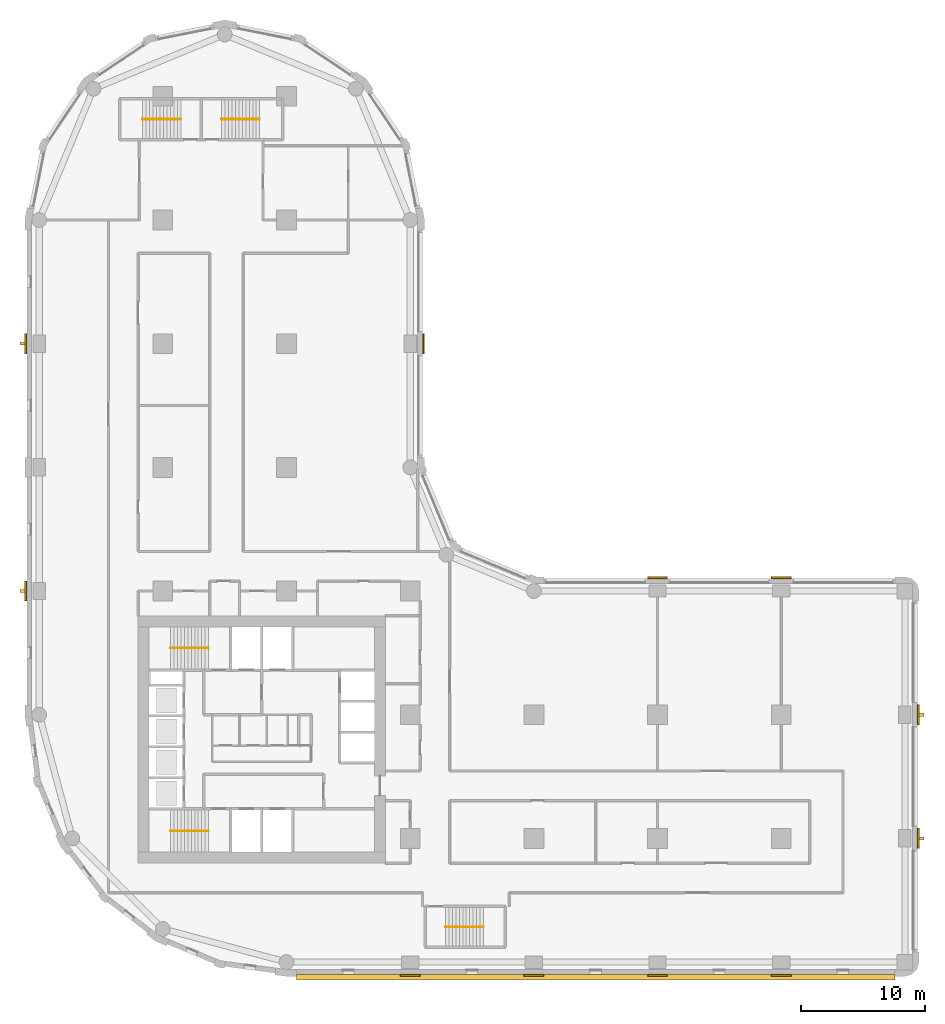
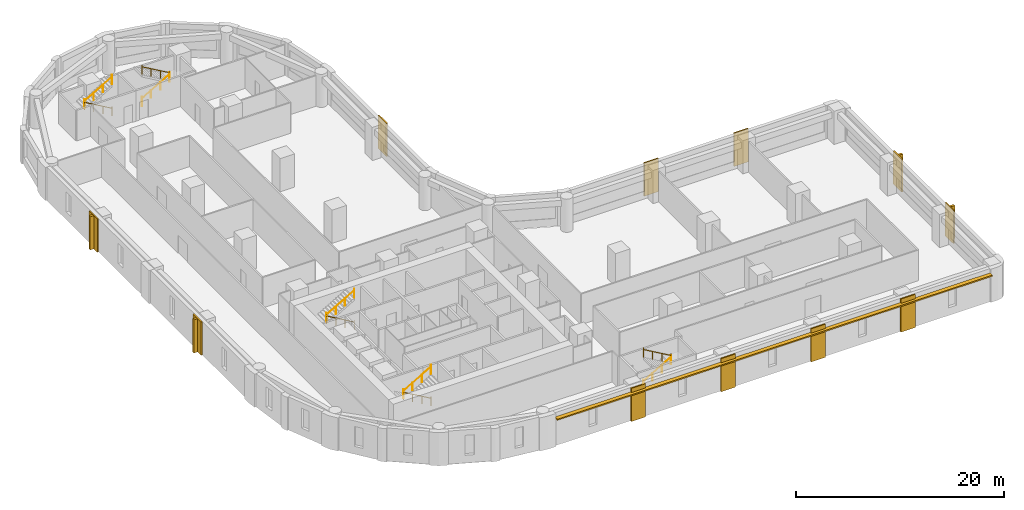
# One storey, part 9 of 10: 11 coverings, 10 railings, 5 shading devices.
"""IFC4 building model written with IfcOpenShell, lengths in metres."""

import ifcopenshell
import ifcopenshell.guid

model = None  # the IFC model being written
_history = None  # IfcOwnerHistory: only IFC2X3 demands one
_inside = {}  # id of a spatial element -> (the spatial element, [elements in it])
_under = {}  # id of a project, library or spatial element -> (it, [spatial elements below it])
_declared = {}  # id of a project -> (the project, [libraries it declares])
_typed = {}  # id of a type object -> (the type object, [elements of that type])
_made_of = {}  # id of a material, layer set ... -> (it, [elements and type objects made of it])


def new_model(schema):
    """Start an empty IFC model of exactly this schema.

    Asked for "IFC4X3", IfcOpenShell would pick the latest addendum, in which some entities
    have other attributes; the version numbers below select the first issue.
    IFC2X3 requires an IfcOwnerHistory on every rooted entity: one is made here for all.
    """
    global model, _history
    if schema == "IFC4X3":
        model = ifcopenshell.file(schema_version=(4, 3, 0, 0))
    else:
        model = ifcopenshell.file(schema=schema)
    _inside.clear()
    _under.clear()
    _declared.clear()
    _typed.clear()
    _made_of.clear()
    _history = None
    if model.schema == "IFC2X3":
        org = make("IfcOrganization", Name="unknown")
        user = make(
            "IfcPersonAndOrganization",
            ThePerson=make("IfcPerson", FamilyName="unknown"),
            TheOrganization=org,
        )
        app = make(
            "IfcApplication",
            ApplicationDeveloper=org,
            Version="unknown",
            ApplicationFullName="unknown",
            ApplicationIdentifier="unknown",
        )
        _history = make(
            "IfcOwnerHistory",
            OwningUser=user,
            OwningApplication=app,
            ChangeAction="ADDED",
            CreationDate=0,
        )
    return model


def make(cls, **values):
    """One entity of the class cls with the attributes given. An attribute that is None is left unset."""
    return model.create_entity(
        cls, **{name: value for name, value in values.items() if value is not None}
    )


def rooted(cls, **values):
    """An entity with a GlobalId (a new one), such as an element, a storey or a relation."""
    return make(cls, GlobalId=ifcopenshell.guid.new(), OwnerHistory=_history, **values)


def si_unit(unit_type, name, prefix=None):
    """IfcSIUnit, for example si_unit("LENGTHUNIT", "METRE", prefix="MILLI")."""
    return make("IfcSIUnit", UnitType=unit_type, Prefix=prefix, Name=name)


def assignment(units):
    """IfcUnitAssignment: the units of a project."""
    return None if units is None else make("IfcUnitAssignment", Units=units)


def point(xyz):
    """IfcCartesianPoint."""
    return None if xyz is None else make("IfcCartesianPoint", Coordinates=xyz)


def direction(xyz):
    """IfcDirection."""
    return None if xyz is None else make("IfcDirection", DirectionRatios=xyz)


def frame(location, z_axis=None, x_axis=None):
    """IfcAxis2Placement3D, a coordinate frame: its origin and axes. An axis left out is left unset."""
    return make(
        "IfcAxis2Placement3D",
        Location=point(location),
        Axis=direction(z_axis),
        RefDirection=direction(x_axis),
    )


def frame_2d(location, x_axis=None):
    """IfcAxis2Placement2D, a coordinate frame in the plane: its origin and x axis."""
    return make(
        "IfcAxis2Placement2D", Location=point(location), RefDirection=direction(x_axis)
    )


def origin():
    """The frame at (0, 0, 0) with its axes left unset."""
    return frame((0.0, 0.0, 0.0))


def origin_2d():
    """The frame at (0, 0) in the plane with its x axis left unset."""
    return frame_2d((0.0, 0.0))


def place(relative_to, where):
    """IfcLocalPlacement: puts the frame where relative to a parent placement (None: the world)."""
    return make(
        "IfcLocalPlacement", PlacementRelTo=relative_to, RelativePlacement=where
    )


def context(
    kind, dimensions, precision=None, world=None, true_north=None, identifier=None
):
    """IfcGeometricRepresentationContext, for example the 3D "Model" context."""
    return make(
        "IfcGeometricRepresentationContext",
        ContextIdentifier=identifier,
        ContextType=kind,
        CoordinateSpaceDimension=dimensions,
        Precision=precision,
        WorldCoordinateSystem=world,
        TrueNorth=true_north,
    )


def subcontext(parent, identifier, kind, view, scale=None):
    """IfcGeometricRepresentationSubContext, for example "Body" below "Model"."""
    return make(
        "IfcGeometricRepresentationSubContext",
        ContextIdentifier=identifier,
        ContextType=kind,
        ParentContext=parent,
        TargetScale=scale,
        TargetView=view,
    )


def project(units=None, contexts=None):
    """IfcProject with its units and contexts."""
    return rooted(
        "IfcProject",
        Name="project",
        RepresentationContexts=contexts,
        UnitsInContext=assignment(units),
    )


def spatial(cls, under=None, at=None, **own):
    """A site, building, storey or space (cls), placed at a placement, below another one or the project."""
    s = rooted(cls, ObjectPlacement=at, **own)
    if under is not None:
        _under.setdefault(under.id(), (under, []))[1].append(s)
    return s


def polyline(points):
    """IfcPolyline through the points."""
    return make("IfcPolyline", Points=[point(p) for p in points])


def profile(cls, at=None, kind="AREA", **sizes):
    """A parametric profile (cls). Its sizes go by their IFC names, for example OverallWidth=200.0."""
    return make(cls, ProfileType=kind, Position=at, **sizes)


def rectangle(**sizes):
    """IfcRectangleProfileDef."""
    return profile("IfcRectangleProfileDef", **sizes)


def circle(**sizes):
    """IfcCircleProfileDef."""
    return profile("IfcCircleProfileDef", **sizes)


def outline(outer, holes=None, kind="AREA"):
    """IfcArbitraryClosedProfileDef: a profile drawn as a closed curve; with holes, ...WithVoids."""
    if holes is None:
        return make("IfcArbitraryClosedProfileDef", ProfileType=kind, OuterCurve=outer)
    return make(
        "IfcArbitraryProfileDefWithVoids",
        ProfileType=kind,
        OuterCurve=outer,
        InnerCurves=holes,
    )


def extrude(swept, where, along, depth):
    """IfcExtrudedAreaSolid: the profile swept, set in the frame where, extruded along a direction by depth."""
    return make(
        "IfcExtrudedAreaSolid",
        SweptArea=swept,
        Position=where,
        ExtrudedDirection=direction(along),
        Depth=depth,
    )


def shape(context_of_items, identifier, shape_type, items):
    """IfcShapeRepresentation: the items that make up one representation, for example the "Body"."""
    return make(
        "IfcShapeRepresentation",
        ContextOfItems=context_of_items,
        RepresentationIdentifier=identifier,
        RepresentationType=shape_type,
        Items=items,
    )


def material(Name=None, Category=None):
    """IfcMaterial."""
    return make("IfcMaterial", Name=Name, Category=Category)


def layer(
    of_material, thickness, ventilated=None, Name=None, Category=None, Priority=None
):
    """IfcMaterialLayer: one layer of a wall or slab, of a material (None: an air gap)."""
    return make(
        "IfcMaterialLayer",
        Material=of_material,
        LayerThickness=thickness,
        IsVentilated=ventilated,
        Name=Name,
        Category=Category,
        Priority=Priority,
    )


def layer_set(layers, Name=None):
    """IfcMaterialLayerSet."""
    return make("IfcMaterialLayerSet", MaterialLayers=layers, LayerSetName=Name)


def made_of(thing, what):
    """Note that an element or type object is made of a material, layer set ...; save() writes the relation."""
    if what is not None:
        _made_of.setdefault(what.id(), (what, []))[1].append(thing)
    return thing


def type_object(cls, material=None, **own):
    """A type object (cls), such as IfcWallType, which elements share."""
    return made_of(rooted(cls, **own), material)


def element(
    cls,
    number,
    at=None,
    inside=None,
    cuts=None,
    type_object=None,
    material=None,
    context=None,
    identifier="Body",
    shape_type=None,
    held_by="IfcProductDefinitionShape",
    body=None,
    shapes=None,
    **own,
):
    """One element of the class cls, such as IfcWall. Its Tag is "e" and its number.

    at: its placement. inside: the storey or other place that contains it. cuts: it is an
    opening in that element (IfcRelVoidsElement). A single representation is given by context,
    identifier, shape_type and body (its items); several are given by shapes. held_by: the class
    of the entity that holds the representations. save() writes the other relations.
    """
    e = rooted(cls, Tag="e%d" % number, ObjectPlacement=at, **own)
    if body is not None:
        shapes = [shape(context, identifier, shape_type, body)]
    if shapes is not None:
        e.Representation = make(held_by, Representations=shapes)
    if inside is not None:
        _inside.setdefault(inside.id(), (inside, []))[1].append(e)
    if cuts is not None:
        rooted(
            "IfcRelVoidsElement", RelatingBuildingElement=cuts, RelatedOpeningElement=e
        )
    if type_object is not None:
        _typed.setdefault(type_object.id(), (type_object, []))[1].append(e)
    return made_of(e, material)


def aggregate(whole, parts):
    """IfcRelAggregates: a whole, such as a stair, and the parts it consists of."""
    return rooted("IfcRelAggregates", RelatingObject=whole, RelatedObjects=parts)


def save(model, path):
    """Write the relations noted so far, then the file.

    IfcRelAggregates (storeys below a building ...), IfcRelContainedInSpatialStructure (elements
    in a storey), IfcRelDefinesByType, IfcRelAssociatesMaterial and IfcRelDeclares: one each for
    every whole, place, type object, material and project.
    """
    for whole, parts in _under.values():
        aggregate(whole, parts)
    for where, things in _inside.values():
        rooted(
            "IfcRelContainedInSpatialStructure",
            RelatedElements=things,
            RelatingStructure=where,
        )
    for kind, things in _typed.values():
        rooted("IfcRelDefinesByType", RelatedObjects=things, RelatingType=kind)
    for what, things in _made_of.values():
        rooted("IfcRelAssociatesMaterial", RelatedObjects=things, RelatingMaterial=what)
    for by, libraries in _declared.values():
        rooted("IfcRelDeclares", RelatingContext=by, RelatedDefinitions=libraries)
    model.write(path)


model = new_model("IFC4")

# Units and contexts
model_context = context("Model", 3, precision=1e-05, world=origin(), true_north=direction((0.0, 1.0)))
body_context = subcontext(model_context, "Body", "Model", "MODEL_VIEW")
ifc_project = project(units=[si_unit("LENGTHUNIT", "METRE"), si_unit("AREAUNIT", "SQUARE_METRE"), si_unit("VOLUMEUNIT", "CUBIC_METRE"), si_unit("PLANEANGLEUNIT", "RADIAN"), si_unit("MASSUNIT", "GRAM", prefix="KILO")], contexts=[model_context])

# Site, building, storey
site_placement = place(None, origin())
site = spatial("IfcSite", under=ifc_project, at=site_placement, CompositionType="ELEMENT")
building_placement = place(site_placement, origin())
building = spatial("IfcBuilding", under=site, at=building_placement, Name="Qaws Garden Tower", CompositionType="ELEMENT")
storey_placement = place(building_placement, frame((0.0, 0.0, 39.300048828125)))
storey = spatial("IfcBuildingStorey", under=building, at=storey_placement, Name="L09", CompositionType="ELEMENT", Elevation=39.300048828125)

# Coverings
ifc_material_1 = material(Name="Clay facing brick masonry", Category="masonry")
ifc_layer_1 = layer(ifc_material_1, 0.14990234375)
ifc_layer_set_1 = layer_set([ifc_layer_1], Name="Clay facing brick masonry")
covering_type = type_object("IfcCoveringType", Name="Brick pilaster facing 150 x 1600", PredefinedType="CLADDING", material=ifc_layer_set_1)
placement = place(storey_placement, origin())
element("IfcCovering", 1, at=placement, inside=storey, type_object=covering_type, Name="E-L09-pier-01", PredefinedType="CLADDING", context=body_context, shape_type="SweptSolid", body=[
    extrude(outline(polyline([(29.199951171875, -1.0), (30.800048828125, -1.0), (30.800048828125, -1.14990234375), (29.199951171875, -1.14990234375), (29.199951171875, -1.0)])), origin(), (0.0, 0.0, 1.0), 3.89990234375),
])
element("IfcCovering", 2, at=placement, inside=storey, type_object=covering_type, Name="E-L09-pier-02", PredefinedType="CLADDING", context=body_context, shape_type="SweptSolid", body=[
    extrude(outline(polyline([(39.199951171875, -1.0), (40.800048828125, -1.0), (40.800048828125, -1.14990234375), (39.199951171875, -1.14990234375), (39.199951171875, -1.0)])), origin(), (0.0, 0.0, 1.0), 3.89990234375),
])
element("IfcCovering", 3, at=placement, inside=storey, type_object=covering_type, Name="E-L09-pier-03", PredefinedType="CLADDING", context=body_context, shape_type="SweptSolid", body=[
    extrude(outline(polyline([(49.199951171875, -1.0), (50.800048828125, -1.0), (50.800048828125, -1.14990234375), (49.199951171875, -1.14990234375), (49.199951171875, -1.0)])), origin(), (0.0, 0.0, 1.0), 3.89990234375),
])
element("IfcCovering", 4, at=placement, inside=storey, type_object=covering_type, Name="E-L09-pier-04", PredefinedType="CLADDING", context=body_context, shape_type="SweptSolid", body=[
    extrude(outline(polyline([(59.199951171875, -1.0), (60.800048828125, -1.0), (60.800048828125, -1.14990234375), (59.199951171875, -1.14990234375), (59.199951171875, -1.0)])), origin(), (0.0, 0.0, 1.0), 3.89990234375),
])
element("IfcCovering", 5, at=placement, inside=storey, type_object=covering_type, Name="E-L09-pier-06", PredefinedType="CLADDING", context=body_context, shape_type="SweptSolid", body=[
    extrude(outline(polyline([(71.0, 9.199951171875), (71.0, 10.800048828125), (71.14990234375, 10.800048828125), (71.14990234375, 9.199951171875), (71.0, 9.199951171875)])), origin(), (0.0, 0.0, 1.0), 3.89990234375),
])
element("IfcCovering", 6, at=placement, inside=storey, type_object=covering_type, Name="E-L09-pier-07", PredefinedType="CLADDING", context=body_context, shape_type="SweptSolid", body=[
    extrude(outline(polyline([(71.0, 19.199951171875), (71.0, 20.800048828125), (71.14990234375, 20.800048828125), (71.14990234375, 19.199951171875), (71.0, 19.199951171875)])), origin(), (0.0, 0.0, 1.0), 3.89990234375),
])
element("IfcCovering", 7, at=placement, inside=storey, type_object=covering_type, Name="E-L09-pier-09", PredefinedType="CLADDING", context=body_context, shape_type="SweptSolid", body=[
    extrude(outline(polyline([(60.800048828125, 31.0), (59.199951171875, 31.0), (59.199951171875, 31.14990234375), (60.800048828125, 31.14990234375), (60.800048828125, 31.0)])), origin(), (0.0, 0.0, 1.0), 3.89990234375),
])
element("IfcCovering", 8, at=placement, inside=storey, type_object=covering_type, Name="E-L09-pier-10", PredefinedType="CLADDING", context=body_context, shape_type="SweptSolid", body=[
    extrude(outline(polyline([(50.800048828125, 31.0), (49.199951171875, 31.0), (49.199951171875, 31.14990234375), (50.800048828125, 31.14990234375), (50.800048828125, 31.0)])), origin(), (0.0, 0.0, 1.0), 3.89990234375),
])
element("IfcCovering", 9, at=placement, inside=storey, type_object=covering_type, Name="E-L09-pier-14", PredefinedType="CLADDING", context=body_context, shape_type="SweptSolid", body=[
    extrude(outline(polyline([(31.0, 49.199951171875), (31.0, 50.800048828125), (31.14990234375, 50.800048828125), (31.14990234375, 49.199951171875), (31.0, 49.199951171875)])), origin(), (0.0, 0.0, 1.0), 3.89990234375),
])
element("IfcCovering", 10, at=placement, inside=storey, type_object=covering_type, Name="E-L09-pier-24", PredefinedType="CLADDING", context=body_context, shape_type="SweptSolid", body=[
    extrude(outline(polyline([(-1.0, 50.800048828125), (-1.0, 49.199951171875), (-1.14990234375, 49.199951171875), (-1.14990234375, 50.800048828125), (-1.0, 50.800048828125)])), origin(), (0.0, 0.0, 1.0), 3.89990234375),
])
element("IfcCovering", 11, at=placement, inside=storey, type_object=covering_type, Name="E-L09-pier-26", PredefinedType="CLADDING", context=body_context, shape_type="SweptSolid", body=[
    extrude(outline(polyline([(-1.0, 30.800048828125), (-1.0, 29.199951171875), (-1.14990234375, 29.199951171875), (-1.14990234375, 30.800048828125), (-1.0, 30.800048828125)])), origin(), (0.0, 0.0, 1.0), 3.89990234375),
])

# Shading devices
ifc_material_2 = material(Name="Clay facing brick masonry", Category="masonry")
ifc_layer_2 = layer(ifc_material_2, 0.14990234375)
ifc_layer_set_2 = layer_set([ifc_layer_2], Name="Clay facing brick masonry")
shading_device_type_1 = type_object("IfcShadingDeviceType", Name="Brick sunshade band 450 x 150", PredefinedType="JALOUSIE", material=ifc_layer_set_2)
shading_device_placement = place(storey_placement, frame((0.0, 0.0, 3.25)))
element("IfcShadingDevice", 12, at=shading_device_placement, inside=storey, type_object=shading_device_type_1, Name="SUNSHADE 00", PredefinedType="JALOUSIE", context=body_context, shape_type="SweptSolid", body=[
    extrude(outline(polyline([(20.800048828125, -1.0), (20.800048828125, -1.449951171875), (69.199951171875, -1.449951171875), (69.199951171875, -1.0), (60.800048828125, -1.0), (60.800048828125, -1.14990234375), (59.199951171875, -1.14990234375), (59.199951171875, -1.0), (50.800048828125, -1.0), (50.800048828125, -1.14990234375), (49.199951171875, -1.14990234375), (49.199951171875, -1.0), (40.800048828125, -1.0), (40.800048828125, -1.14990234375), (39.199951171875, -1.14990234375), (39.199951171875, -1.0), (30.800048828125, -1.0), (30.800048828125, -1.14990234375), (29.199951171875, -1.14990234375), (29.199951171875, -1.0), (20.800048828125, -1.0)])), origin(), (0.0, 0.0, 1.0), 0.14990234375),
])
ifc_material_3 = material(Name="Clay facing brick masonry", Category="masonry")
ifc_layer_3 = layer(ifc_material_3, 0.25)
ifc_layer_set_3 = layer_set([ifc_layer_3], Name="Clay facing brick masonry")
shading_device_type_2 = type_object("IfcShadingDeviceType", Name="Brick-faced fin 250 x 400", PredefinedType="USERDEFINED", material=ifc_layer_set_3)
for number, where, z_axis, x_axis, name in (
    (13, (71.35009765625, 10.0, 0.0), (0.0, 0.0, 1.0), (0.0, 1.0, 0.0), "FIN 06"),
    (14, (71.35009765625, 20.0, 0.0), (0.0, 0.0, 1.0), (0.0, 1.0, 0.0), "FIN 07"),
    (15, (-1.35009765625, 50.0, 0.0), (0.0, 0.0, 1.0), (0.0, -1.0, 0.0), "FIN 24"),
    (16, (-1.35009765625, 30.0, 0.0), (0.0, 0.0, 1.0), (0.0, -1.0, 0.0), "FIN 26"),
):
    element("IfcShadingDevice", number, at=place(storey_placement, frame(where, z_axis=z_axis, x_axis=x_axis)), inside=storey, type_object=shading_device_type_2, Name=name, ObjectType="FIN", PredefinedType="USERDEFINED", context=body_context, shape_type="SweptSolid", body=[
        extrude(rectangle(XDim=0.25, YDim=0.39990234375, at=origin_2d()), origin(), (0.0, 0.0, 1.0), 3.89990234375),
    ])

# Railings
ifc_material_4 = material(Name="Steel S355", Category="steel")
railing_type = type_object("IfcRailingType", Name="Stair handrail 900", PredefinedType="HANDRAIL", material=ifc_material_4)
railing_1_placement = place(storey_placement, frame((13.699951171875, 10.60009765625, 0.162353515625)))
element("IfcRailing", 17, at=railing_1_placement, inside=storey, type_object=railing_type, Name="Stair 1 handrail", PredefinedType="HANDRAIL", context=body_context, shape_type="SweptSolid", body=[
    extrude(circle(Radius=0.02392578125, at=origin_2d()), frame((0.0, 0.0, 0.8759765625), z_axis=(-0.864873446163, 0.0, 0.501989962173), x_axis=(0.0, -1.0, 0.0)), (0.0, 0.0, 1.0), 3.56103515625),
    extrude(circle(Radius=0.02099609375, at=origin_2d()), origin(), (0.0, 0.0, 1.0), 1.06201171875),
    extrude(circle(Radius=0.02099609375, at=origin_2d()), frame((-1.026611328125, 0.0, 0.595947265625)), (0.0, 0.0, 1.0), 0.851806640625),
    extrude(circle(Radius=0.02099609375, at=origin_2d()), frame((-2.05322265625, 0.0, 1.191650390625)), (0.0, 0.0, 1.0), 0.851806640625),
    extrude(circle(Radius=0.02099609375, at=origin_2d()), frame((-3.079833984375, 0.0, 1.78759765625)), (0.0, 0.0, 1.0), 1.06201171875),
])
railing_2_placement = place(storey_placement, frame((10.6201171875, 10.60009765625, 2.112548828125)))
element("IfcRailing", 18, at=railing_2_placement, inside=storey, type_object=railing_type, Name="Stair 1 handrail", PredefinedType="HANDRAIL", context=body_context, shape_type="SweptSolid", body=[
    extrude(circle(Radius=0.02392578125, at=origin_2d()), frame((0.0, 0.0, 0.8759765625), z_axis=(0.864903211148, 0.0, 0.501938676878), x_axis=(0.0, 1.0, 0.0)), (0.0, 0.0, 1.0), 3.560791015625),
    extrude(circle(Radius=0.02099609375, at=origin_2d()), origin(), (0.0, 0.0, 1.0), 1.06201171875),
    extrude(circle(Radius=0.02099609375, at=origin_2d()), frame((1.026611328125, 0.0, 0.595703125)), (0.0, 0.0, 1.0), 0.851806640625),
    extrude(circle(Radius=0.02099609375, at=origin_2d()), frame((2.05322265625, 0.0, 1.191650390625)), (0.0, 0.0, 1.0), 0.851806640625),
    extrude(circle(Radius=0.02099609375, at=origin_2d()), frame((3.079833984375, 0.0, 1.787353515625)), (0.0, 0.0, 1.0), 1.06201171875),
])
railing_3_placement = place(storey_placement, frame((13.699951171875, 25.39990234375, 0.162353515625)))
element("IfcRailing", 19, at=railing_3_placement, inside=storey, type_object=railing_type, Name="Stair 4 handrail", PredefinedType="HANDRAIL", context=body_context, shape_type="SweptSolid", body=[
    extrude(circle(Radius=0.02392578125, at=origin_2d()), frame((0.0, 0.0, 0.8759765625), z_axis=(-0.864873446163, 0.0, 0.501989962173), x_axis=(0.0, -1.0, 0.0)), (0.0, 0.0, 1.0), 3.56103515625),
    extrude(circle(Radius=0.02099609375, at=origin_2d()), origin(), (0.0, 0.0, 1.0), 1.06201171875),
    extrude(circle(Radius=0.02099609375, at=origin_2d()), frame((-1.026611328125, 0.0, 0.595947265625)), (0.0, 0.0, 1.0), 0.851806640625),
    extrude(circle(Radius=0.02099609375, at=origin_2d()), frame((-2.05322265625, 0.0, 1.191650390625)), (0.0, 0.0, 1.0), 0.851806640625),
    extrude(circle(Radius=0.02099609375, at=origin_2d()), frame((-3.079833984375, 0.0, 1.78759765625)), (0.0, 0.0, 1.0), 1.06201171875),
])
railing_4_placement = place(storey_placement, frame((10.6201171875, 25.39990234375, 2.112548828125)))
element("IfcRailing", 20, at=railing_4_placement, inside=storey, type_object=railing_type, Name="Stair 4 handrail", PredefinedType="HANDRAIL", context=body_context, shape_type="SweptSolid", body=[
    extrude(circle(Radius=0.02392578125, at=origin_2d()), frame((0.0, 0.0, 0.8759765625), z_axis=(0.864903211148, 0.0, 0.501938676878), x_axis=(0.0, 1.0, 0.0)), (0.0, 0.0, 1.0), 3.560791015625),
    extrude(circle(Radius=0.02099609375, at=origin_2d()), origin(), (0.0, 0.0, 1.0), 1.06201171875),
    extrude(circle(Radius=0.02099609375, at=origin_2d()), frame((1.026611328125, 0.0, 0.595703125)), (0.0, 0.0, 1.0), 0.851806640625),
    extrude(circle(Radius=0.02099609375, at=origin_2d()), frame((2.05322265625, 0.0, 1.191650390625)), (0.0, 0.0, 1.0), 0.851806640625),
    extrude(circle(Radius=0.02099609375, at=origin_2d()), frame((3.079833984375, 0.0, 1.787353515625)), (0.0, 0.0, 1.0), 1.06201171875),
])
railing_5_placement = place(storey_placement, frame((32.85009765625, 2.85009765625, 0.162353515625)))
element("IfcRailing", 21, at=railing_5_placement, inside=storey, type_object=railing_type, Name="Stair 5 handrail", PredefinedType="HANDRAIL", context=body_context, shape_type="SweptSolid", body=[
    extrude(circle(Radius=0.02392578125, at=origin_2d()), frame((0.0, 0.0, 0.8759765625), z_axis=(0.864873446163, 0.0, 0.501989962173), x_axis=(0.0, 1.0, 0.0)), (0.0, 0.0, 1.0), 3.56103515625),
    extrude(circle(Radius=0.02099609375, at=origin_2d()), origin(), (0.0, 0.0, 1.0), 1.06201171875),
    extrude(circle(Radius=0.02099609375, at=origin_2d()), frame((1.026611328125, 0.0, 0.595947265625)), (0.0, 0.0, 1.0), 0.851806640625),
    extrude(circle(Radius=0.02099609375, at=origin_2d()), frame((2.05322265625, 0.0, 1.191650390625)), (0.0, 0.0, 1.0), 0.851806640625),
    extrude(circle(Radius=0.02099609375, at=origin_2d()), frame((3.079833984375, 0.0, 1.78759765625)), (0.0, 0.0, 1.0), 1.06201171875),
])
railing_6_placement = place(storey_placement, frame((35.929931640625, 2.85009765625, 2.112548828125)))
element("IfcRailing", 22, at=railing_6_placement, inside=storey, type_object=railing_type, Name="Stair 5 handrail", PredefinedType="HANDRAIL", context=body_context, shape_type="SweptSolid", body=[
    extrude(circle(Radius=0.02392578125, at=origin_2d()), frame((0.0, 0.0, 0.8759765625), z_axis=(-0.864903211148, 0.0, 0.501938676878), x_axis=(0.0, -1.0, 0.0)), (0.0, 0.0, 1.0), 3.560791015625),
    extrude(circle(Radius=0.02099609375, at=origin_2d()), origin(), (0.0, 0.0, 1.0), 1.06201171875),
    extrude(circle(Radius=0.02099609375, at=origin_2d()), frame((-1.026611328125, 0.0, 0.595703125)), (0.0, 0.0, 1.0), 0.851806640625),
    extrude(circle(Radius=0.02099609375, at=origin_2d()), frame((-2.05322265625, 0.0, 1.191650390625)), (0.0, 0.0, 1.0), 0.851806640625),
    extrude(circle(Radius=0.02099609375, at=origin_2d()), frame((-3.079833984375, 0.0, 1.787353515625)), (0.0, 0.0, 1.0), 1.06201171875),
])
railing_7_placement = place(storey_placement, frame((11.449951171875, 68.14990234375, 0.162353515625)))
element("IfcRailing", 23, at=railing_7_placement, inside=storey, type_object=railing_type, Name="Stair 6 handrail", PredefinedType="HANDRAIL", context=body_context, shape_type="SweptSolid", body=[
    extrude(circle(Radius=0.02392578125, at=origin_2d()), frame((0.0, 0.0, 0.8759765625), z_axis=(-0.864873446163, 0.0, 0.501989962173), x_axis=(0.0, -1.0, 0.0)), (0.0, 0.0, 1.0), 3.56103515625),
    extrude(circle(Radius=0.02099609375, at=origin_2d()), origin(), (0.0, 0.0, 1.0), 1.06201171875),
    extrude(circle(Radius=0.02099609375, at=origin_2d()), frame((-1.026611328125, 0.0, 0.595947265625)), (0.0, 0.0, 1.0), 0.851806640625),
    extrude(circle(Radius=0.02099609375, at=origin_2d()), frame((-2.05322265625, 0.0, 1.191650390625)), (0.0, 0.0, 1.0), 0.851806640625),
    extrude(circle(Radius=0.02099609375, at=origin_2d()), frame((-3.079833984375, 0.0, 1.78759765625)), (0.0, 0.0, 1.0), 1.06201171875),
])
railing_8_placement = place(storey_placement, frame((8.3701171875, 68.14990234375, 2.112548828125)))
element("IfcRailing", 24, at=railing_8_placement, inside=storey, type_object=railing_type, Name="Stair 6 handrail", PredefinedType="HANDRAIL", context=body_context, shape_type="SweptSolid", body=[
    extrude(circle(Radius=0.02392578125, at=origin_2d()), frame((0.0, 0.0, 0.8759765625), z_axis=(0.864903211148, 0.0, 0.501938676878), x_axis=(0.0, 1.0, 0.0)), (0.0, 0.0, 1.0), 3.560791015625),
    extrude(circle(Radius=0.02099609375, at=origin_2d()), origin(), (0.0, 0.0, 1.0), 1.06201171875),
    extrude(circle(Radius=0.02099609375, at=origin_2d()), frame((1.026611328125, 0.0, 0.595703125)), (0.0, 0.0, 1.0), 0.851806640625),
    extrude(circle(Radius=0.02099609375, at=origin_2d()), frame((2.05322265625, 0.0, 1.191650390625)), (0.0, 0.0, 1.0), 0.851806640625),
    extrude(circle(Radius=0.02099609375, at=origin_2d()), frame((3.079833984375, 0.0, 1.787353515625)), (0.0, 0.0, 1.0), 1.06201171875),
])
railing_9_placement = place(storey_placement, frame((14.75, 68.14990234375, 0.162353515625)))
element("IfcRailing", 25, at=railing_9_placement, inside=storey, type_object=railing_type, Name="Stair 7 handrail", PredefinedType="HANDRAIL", context=body_context, shape_type="SweptSolid", body=[
    extrude(circle(Radius=0.02392578125, at=origin_2d()), frame((0.0, 0.0, 0.8759765625), z_axis=(0.864890721111, 0.0, 0.501960198159), x_axis=(0.0, 1.0, 0.0)), (0.0, 0.0, 1.0), 3.561279296875),
    extrude(circle(Radius=0.02099609375, at=origin_2d()), origin(), (0.0, 0.0, 1.0), 1.06201171875),
    extrude(circle(Radius=0.02099609375, at=origin_2d()), frame((1.026611328125, 0.0, 0.595947265625)), (0.0, 0.0, 1.0), 0.851806640625),
    extrude(circle(Radius=0.02099609375, at=origin_2d()), frame((2.053466796875, 0.0, 1.191650390625)), (0.0, 0.0, 1.0), 0.851806640625),
    extrude(circle(Radius=0.02099609375, at=origin_2d()), frame((3.080078125, 0.0, 1.78759765625)), (0.0, 0.0, 1.0), 1.06201171875),
])
railing_10_placement = place(storey_placement, frame((17.830078125, 68.14990234375, 2.112548828125)))
element("IfcRailing", 26, at=railing_10_placement, inside=storey, type_object=railing_type, Name="Stair 7 handrail", PredefinedType="HANDRAIL", context=body_context, shape_type="SweptSolid", body=[
    extrude(circle(Radius=0.02392578125, at=origin_2d()), frame((0.0, 0.0, 0.8759765625), z_axis=(-0.864920483161, 0.0, 0.501908913857), x_axis=(0.0, -1.0, 0.0)), (0.0, 0.0, 1.0), 3.56103515625),
    extrude(circle(Radius=0.02099609375, at=origin_2d()), origin(), (0.0, 0.0, 1.0), 1.06201171875),
    extrude(circle(Radius=0.02099609375, at=origin_2d()), frame((-1.026611328125, 0.0, 0.595703125)), (0.0, 0.0, 1.0), 0.851806640625),
    extrude(circle(Radius=0.02099609375, at=origin_2d()), frame((-2.053466796875, 0.0, 1.191650390625)), (0.0, 0.0, 1.0), 0.851806640625),
    extrude(circle(Radius=0.02099609375, at=origin_2d()), frame((-3.080078125, 0.0, 1.787353515625)), (0.0, 0.0, 1.0), 1.06201171875),
])

save(model, "model.ifc")
